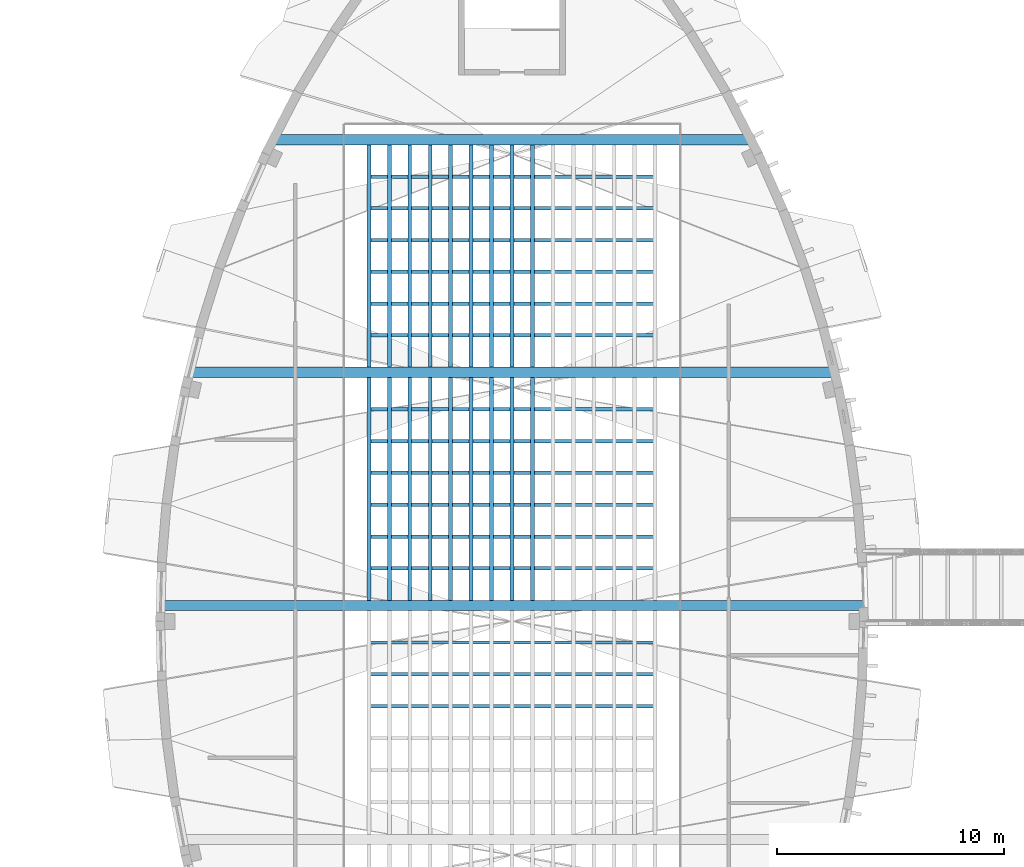
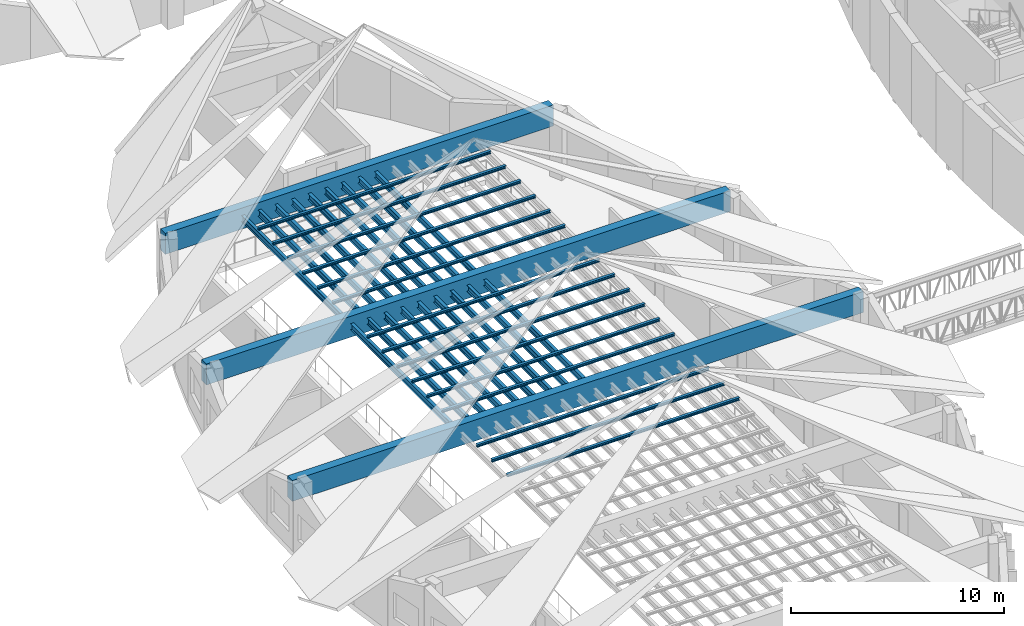
# One storey, part 7 of 56: 36 beams.
"""IFC4 building model written with IfcOpenShell, lengths in metres."""

from ifc_helpers import new_model, si_unit, direction, frame, origin, origin_2d, place, context, subcontext, project, spatial, rectangle, i_section, extrude, material, material_profile, profile_set, type_object, element, save


model = new_model("IFC4")

# Units and contexts
model_context = context("Model", 3, precision=1e-05, world=origin(), true_north=direction((0.0, 1.0)))
body_context = subcontext(model_context, "Body", "Model", "MODEL_VIEW")
ifc_project = project(units=[si_unit("LENGTHUNIT", "METRE"), si_unit("AREAUNIT", "SQUARE_METRE"), si_unit("VOLUMEUNIT", "CUBIC_METRE"), si_unit("PLANEANGLEUNIT", "RADIAN"), si_unit("MASSUNIT", "GRAM", prefix="KILO")], contexts=[model_context])

# Site, building, storey
site_placement = place(None, origin())
site = spatial("IfcSite", under=ifc_project, at=site_placement, CompositionType="ELEMENT")
building_placement = place(site_placement, origin())
building = spatial("IfcBuilding", under=site, at=building_placement, Name="Tide Square Theatres", CompositionType="ELEMENT")
storey_placement = place(building_placement, frame((0.0, 0.0, 10.199951171875)))
storey = spatial("IfcBuildingStorey", under=building, at=storey_placement, Name="L02", CompositionType="ELEMENT", Elevation=10.199951171875)

# Beams
ifc_material_1 = material(Name="Concrete C40", Category="concrete")
ifc_material_profile_1 = material_profile(ifc_material_1, rectangle(XDim=0.449951171875, YDim=1.199951171875, at=origin_2d()))
ifc_profile_set_1 = profile_set([ifc_material_profile_1], Name="Concrete C40")
beam_type_1 = type_object("IfcBeamType", Name="RC eaves tie beam 450 x 1200", PredefinedType="BEAM", material=ifc_profile_set_1)
beam_1_placement = place(storey_placement, frame((51.473876953125, 45.19970703125, 3.12353515625), z_axis=(-1.0, 0.0, 0.0), x_axis=(0.0, -1.0, 0.0)))
element("IfcBeam", 1, at=beam_1_placement, inside=storey, type_object=beam_type_1, Name="Eaves tie beam studio 3", PredefinedType="BEAM", context=body_context, shape_type="SweptSolid", body=[
    extrude(rectangle(XDim=0.449951171875, YDim=1.199951171875, at=origin_2d()), origin(), (0.0, 0.0, 1.0), 30.94775390625),
])
beam_2_placement = place(storey_placement, frame((50.201904296875, 55.468994140625, 3.1220703125), z_axis=(-1.0, 0.0, 0.0), x_axis=(0.0, -1.0, 0.0)))
element("IfcBeam", 2, at=beam_2_placement, inside=storey, type_object=beam_type_1, Name="Eaves tie beam studio 4", PredefinedType="BEAM", context=body_context, shape_type="SweptSolid", body=[
    extrude(rectangle(XDim=0.449951171875, YDim=1.199951171875, at=origin_2d()), origin(), (0.0, 0.0, 1.0), 28.40380859375),
])
beam_3_placement = place(storey_placement, frame((46.513916015625, 65.701904296875, 3.106689453125), z_axis=(-1.0, 0.0, 0.0), x_axis=(0.0, -1.0, 0.0)))
element("IfcBeam", 3, at=beam_3_placement, inside=storey, type_object=beam_type_1, Name="Eaves tie beam studio 5", PredefinedType="BEAM", context=body_context, shape_type="SweptSolid", body=[
    extrude(rectangle(XDim=0.449951171875, YDim=1.199951171875, at=origin_2d()), origin(), (0.0, 0.0, 1.0), 21.02783203125),
])
ifc_material_2 = material(Name="Steel ASTM A572 Grade 50", Category="steel")
ifc_material_profile_2 = material_profile(ifc_material_2, i_section(OverallWidth=0.1708984375, OverallDepth=0.35498046875, WebThickness=0.007080078125, FlangeThickness=0.01171875, FilletRadius=0.011962890625, at=origin_2d()))
ifc_profile_set_2 = profile_set([ifc_material_profile_2], Name="Steel ASTM A572 Grade 50")
beam_type_2 = type_object("IfcBeamType", Name="Steel beam W 360 x 51.0", PredefinedType="BEAM", material=ifc_profile_set_2)
for number, where, z_axis, x_axis, name in (
    (4, (36.89990234375, 45.4248046875, 3.122802734375), (0.0, 1.0, 0.0), (-1.0, 0.0, 0.0), "Studio Theatre rigging grid girder"),
    (5, (36.0, 45.4248046875, 3.122802734375), (0.0, 1.0, 0.0), (-1.0, 0.0, 0.0), "Studio Theatre rigging grid girder"),
    (6, (35.10009765625, 45.4248046875, 3.122802734375), (0.0, 1.0, 0.0), (-1.0, 0.0, 0.0), "Studio Theatre rigging grid girder"),
    (7, (34.199951171875, 45.4248046875, 3.122802734375), (0.0, 1.0, 0.0), (-1.0, 0.0, 0.0), "Studio Theatre rigging grid girder"),
    (8, (33.300048828125, 45.4248046875, 3.122802734375), (0.0, 1.0, 0.0), (-1.0, 0.0, 0.0), "Studio Theatre rigging grid girder"),
    (9, (32.39990234375, 45.4248046875, 3.122802734375), (0.0, 1.0, 0.0), (-1.0, 0.0, 0.0), "Studio Theatre rigging grid girder"),
    (10, (31.5, 45.4248046875, 3.122802734375), (0.0, 1.0, 0.0), (-1.0, 0.0, 0.0), "Studio Theatre rigging grid girder"),
    (11, (30.60009765625, 45.4248046875, 3.122802734375), (0.0, 1.0, 0.0), (-1.0, 0.0, 0.0), "Studio Theatre rigging grid girder"),
    (12, (29.699951171875, 45.4248046875, 3.122802734375), (0.0, 1.0, 0.0), (-1.0, 0.0, 0.0), "Studio Theatre rigging grid girder"),
):
    element("IfcBeam", number, at=place(storey_placement, frame(where, z_axis=z_axis, x_axis=x_axis)), inside=storey, type_object=beam_type_2, Name=name, PredefinedType="BEAM", context=body_context, shape_type="SweptSolid", body=[
        extrude(i_section(OverallWidth=0.1708984375, OverallDepth=0.35498046875, WebThickness=0.007080078125, FlangeThickness=0.01171875, FilletRadius=0.011962890625, at=origin_2d()), origin(), (0.0, 0.0, 1.0), 9.8193359375),
    ])
for number, where, z_axis, x_axis, name in (
    (13, (36.89990234375, 55.694091796875, 3.114501953125), (0.0, 1.0, 0.0), (-1.0, 0.0, 0.0), "Studio Theatre rigging grid girder"),
    (14, (36.0, 55.694091796875, 3.114501953125), (0.0, 1.0, 0.0), (-1.0, 0.0, 0.0), "Studio Theatre rigging grid girder"),
    (15, (35.10009765625, 55.694091796875, 3.114501953125), (0.0, 1.0, 0.0), (-1.0, 0.0, 0.0), "Studio Theatre rigging grid girder"),
    (16, (34.199951171875, 55.694091796875, 3.114501953125), (0.0, 1.0, 0.0), (-1.0, 0.0, 0.0), "Studio Theatre rigging grid girder"),
    (17, (33.300048828125, 55.694091796875, 3.114501953125), (0.0, 1.0, 0.0), (-1.0, 0.0, 0.0), "Studio Theatre rigging grid girder"),
    (18, (32.39990234375, 55.694091796875, 3.114501953125), (0.0, 1.0, 0.0), (-1.0, 0.0, 0.0), "Studio Theatre rigging grid girder"),
    (19, (31.5, 55.694091796875, 3.114501953125), (0.0, 1.0, 0.0), (-1.0, 0.0, 0.0), "Studio Theatre rigging grid girder"),
    (20, (30.60009765625, 55.694091796875, 3.114501953125), (0.0, 1.0, 0.0), (-1.0, 0.0, 0.0), "Studio Theatre rigging grid girder"),
    (21, (29.699951171875, 55.694091796875, 3.114501953125), (0.0, 1.0, 0.0), (-1.0, 0.0, 0.0), "Studio Theatre rigging grid girder"),
):
    element("IfcBeam", number, at=place(storey_placement, frame(where, z_axis=z_axis, x_axis=x_axis)), inside=storey, type_object=beam_type_2, Name=name, PredefinedType="BEAM", context=body_context, shape_type="SweptSolid", body=[
        extrude(i_section(OverallWidth=0.1708984375, OverallDepth=0.35498046875, WebThickness=0.007080078125, FlangeThickness=0.01171875, FilletRadius=0.011962890625, at=origin_2d()), origin(), (0.0, 0.0, 1.0), 9.782958984375),
    ])
ifc_material_3 = material(Name="Steel ASTM A572 Grade 50", Category="steel")
ifc_material_profile_3 = material_profile(ifc_material_3, i_section(OverallWidth=0.152099609375, OverallDepth=0.152099609375, WebThickness=0.005859375, FlangeThickness=0.006591796875, FilletRadius=0.010009765625, at=origin_2d()))
ifc_profile_set_3 = profile_set([ifc_material_profile_3], Name="Steel ASTM A572 Grade 50")
beam_type_3 = type_object("IfcBeamType", Name="Steel joist W 150 x 22.5", PredefinedType="JOIST", material=ifc_profile_set_3)
for number, where, z_axis, x_axis, name in (
    (22, (42.300048828125, 40.752197265625, 3.37890625), (-1.0, 0.0, 0.0), (0.0, -1.0, 0.0), "Studio Theatre rigging grid joist"),
    (23, (42.300048828125, 42.159912109375, 3.37890625), (-1.0, 0.0, 0.0), (0.0, -1.0, 0.0), "Studio Theatre rigging grid joist"),
    (24, (42.300048828125, 43.5673828125, 3.37890625), (-1.0, 0.0, 0.0), (0.0, -1.0, 0.0), "Studio Theatre rigging grid joist"),
    (25, (42.300048828125, 46.827392578125, 3.37646484375), (-1.0, 0.0, 0.0), (0.0, -1.0, 0.0), "Studio Theatre rigging grid joist"),
    (26, (42.300048828125, 48.230224609375, 3.37646484375), (-1.0, 0.0, 0.0), (0.0, -1.0, 0.0), "Studio Theatre rigging grid joist"),
    (27, (42.300048828125, 49.633056640625, 3.37646484375), (-1.0, 0.0, 0.0), (0.0, -1.0, 0.0), "Studio Theatre rigging grid joist"),
    (28, (42.300048828125, 51.035888671875, 3.37646484375), (-1.0, 0.0, 0.0), (0.0, -1.0, 0.0), "Studio Theatre rigging grid joist"),
    (29, (42.300048828125, 52.438720703125, 3.37646484375), (-1.0, 0.0, 0.0), (0.0, -1.0, 0.0), "Studio Theatre rigging grid joist"),
    (30, (42.300048828125, 53.84130859375, 3.37646484375), (-1.0, 0.0, 0.0), (0.0, -1.0, 0.0), "Studio Theatre rigging grid joist"),
    (31, (42.300048828125, 57.091796875, 3.367919921875), (-1.0, 0.0, 0.0), (0.0, -1.0, 0.0), "Studio Theatre rigging grid joist"),
    (32, (42.300048828125, 58.4892578125, 3.367919921875), (-1.0, 0.0, 0.0), (0.0, -1.0, 0.0), "Studio Theatre rigging grid joist"),
    (33, (42.300048828125, 59.88671875, 3.367919921875), (-1.0, 0.0, 0.0), (0.0, -1.0, 0.0), "Studio Theatre rigging grid joist"),
    (34, (42.300048828125, 61.2841796875, 3.367919921875), (-1.0, 0.0, 0.0), (0.0, -1.0, 0.0), "Studio Theatre rigging grid joist"),
    (35, (42.300048828125, 62.681884765625, 3.367919921875), (-1.0, 0.0, 0.0), (0.0, -1.0, 0.0), "Studio Theatre rigging grid joist"),
    (36, (42.300048828125, 64.079345703125, 3.367919921875), (-1.0, 0.0, 0.0), (0.0, -1.0, 0.0), "Studio Theatre rigging grid joist"),
):
    element("IfcBeam", number, at=place(storey_placement, frame(where, z_axis=z_axis, x_axis=x_axis)), inside=storey, type_object=beam_type_3, Name=name, PredefinedType="JOIST", context=body_context, shape_type="SweptSolid", body=[
        extrude(i_section(OverallWidth=0.152099609375, OverallDepth=0.152099609375, WebThickness=0.005859375, FlangeThickness=0.006591796875, FilletRadius=0.010009765625, at=origin_2d()), origin(), (0.0, 0.0, 1.0), 12.60009765625),
    ])

save(model, "model.ifc")
